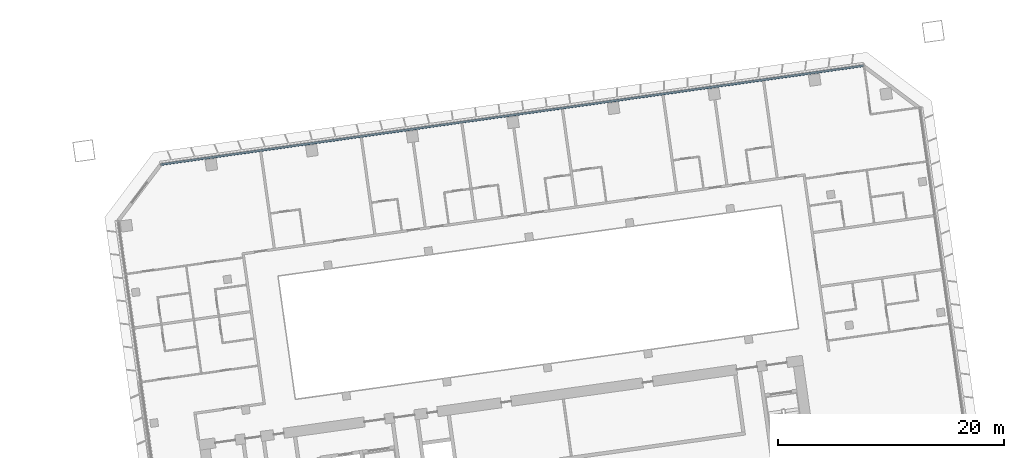
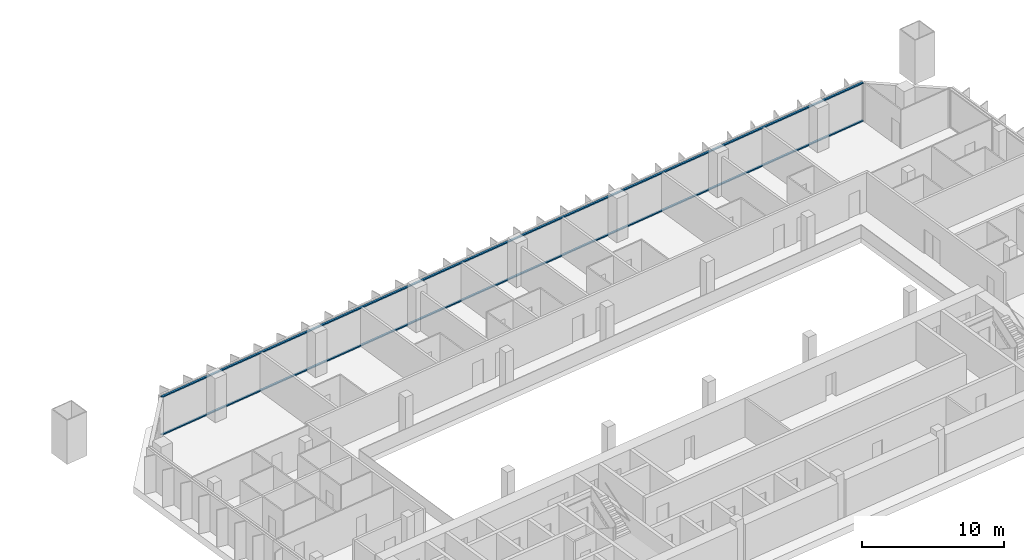
# One storey, part 9 of 24: 2 members, 1 element without a shape of its own.
"""IFC4 building model written with IfcOpenShell, lengths in metres."""

from ifc_helpers import new_model, si_unit, direction, frame, origin, origin_2d, place, context, subcontext, project, spatial, rectangle, extrude, material, material_profile, profile_set, type_object, element, aggregate, save


model = new_model("IFC4")

# Units and contexts
model_context = context("Model", 3, precision=1e-05, world=origin(), true_north=direction((0.0, 1.0)))
body_context = subcontext(model_context, "Body", "Model", "MODEL_VIEW")
ifc_project = project(units=[si_unit("LENGTHUNIT", "METRE"), si_unit("AREAUNIT", "SQUARE_METRE"), si_unit("VOLUMEUNIT", "CUBIC_METRE"), si_unit("PLANEANGLEUNIT", "RADIAN"), si_unit("MASSUNIT", "GRAM", prefix="KILO")], contexts=[model_context])

# Site, building, storey
site_placement = place(None, origin())
site = spatial("IfcSite", under=ifc_project, at=site_placement, CompositionType="ELEMENT")
building_placement = place(site_placement, origin())
building = spatial("IfcBuilding", under=site, at=building_placement, Name="Mirante Cascada Hotel Towers", CompositionType="ELEMENT")
storey_placement = place(building_placement, frame((0.0, 0.0, 50.9)))
storey = spatial("IfcBuildingStorey", under=building, at=storey_placement, Name="L09", CompositionType="ELEMENT", Elevation=50.9)

# Curtain wall, members
ifc_material_1 = material(Name="Aluminium mullion and transom frame with clear laminated glass", Category="aluminium")
curtain_wall_type = type_object("IfcCurtainWallType", Name="Ribbon curtain wall ECW1", PredefinedType="NOTDEFINED", material=ifc_material_1)
curtain_wall_placement = place(storey_placement, origin())
curtain_wall = element("IfcCurtainWall", 1, at=curtain_wall_placement, inside=storey, type_object=curtain_wall_type, Name="Front ribbon wall T2 L09", PredefinedType="NOTDEFINED")
ifc_material_2 = material(Name="Anodised aluminium extrusion", Category="aluminium")
ifc_material_profile = material_profile(ifc_material_2, rectangle(XDim=0.16, YDim=0.1, at=origin_2d()), Name="ECW1 TRANSOM 100x160")
ifc_profile_set = profile_set([ifc_material_profile], Name="Anodised aluminium extrusion")
member_type = type_object("IfcMemberType", Name="ECW1 transom 100x160", PredefinedType="USERDEFINED", material=ifc_profile_set)
member_1_placement = place(storey_placement, frame((94.1582, 26.0521, 0.05), z_axis=(-0.9902681, -0.1391728, 0.0), x_axis=(0.1391728, -0.9902681, 0.0)))
member_1 = element("IfcMember", 2, at=member_1_placement, type_object=member_type, Name="ECW1 sill transom", ObjectType="TRANSOM", PredefinedType="USERDEFINED", context=body_context, shape_type="SweptSolid", body=[
    extrude(rectangle(XDim=0.16, YDim=0.1, at=origin_2d()), origin(), (0.0, 0.0, 1.0), 62.8758),
])
member_2_placement = place(storey_placement, frame((94.1582, 26.0521, 3.3), z_axis=(-0.9902681, -0.1391728, 0.0), x_axis=(0.1391728, -0.9902681, 0.0)))
member_2 = element("IfcMember", 3, at=member_2_placement, type_object=member_type, Name="ECW1 head transom", ObjectType="TRANSOM", PredefinedType="USERDEFINED", context=body_context, shape_type="SweptSolid", body=[
    extrude(rectangle(XDim=0.16, YDim=0.1, at=origin_2d()), origin(), (0.0, 0.0, 1.0), 62.8758),
])
aggregate(curtain_wall, [member_1, member_2])

save(model, "model.ifc")
